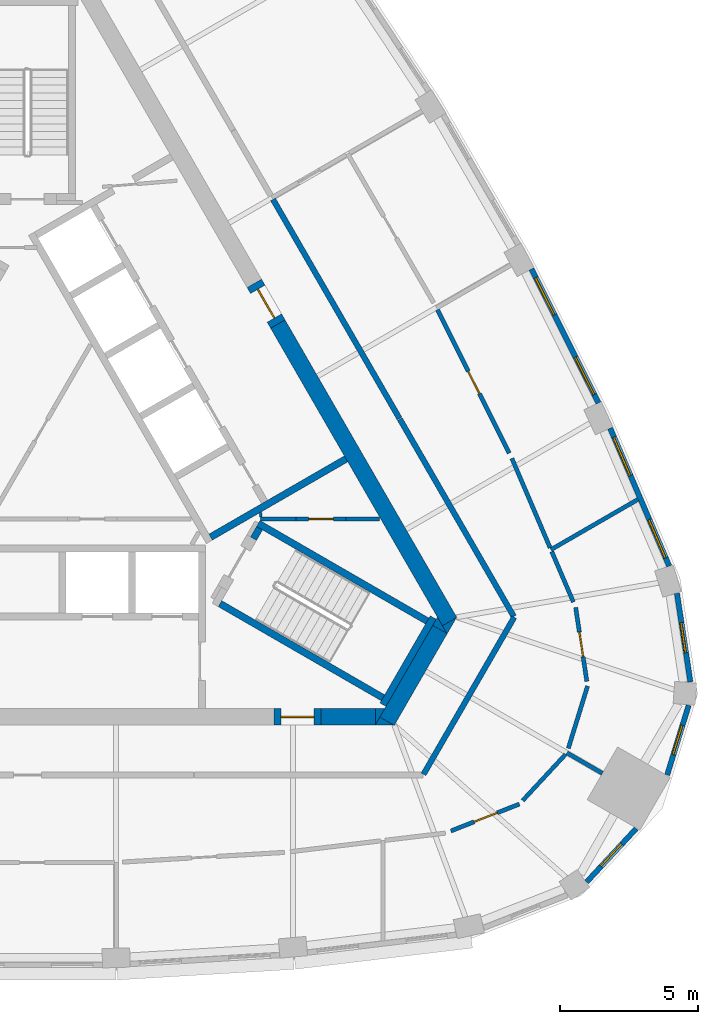
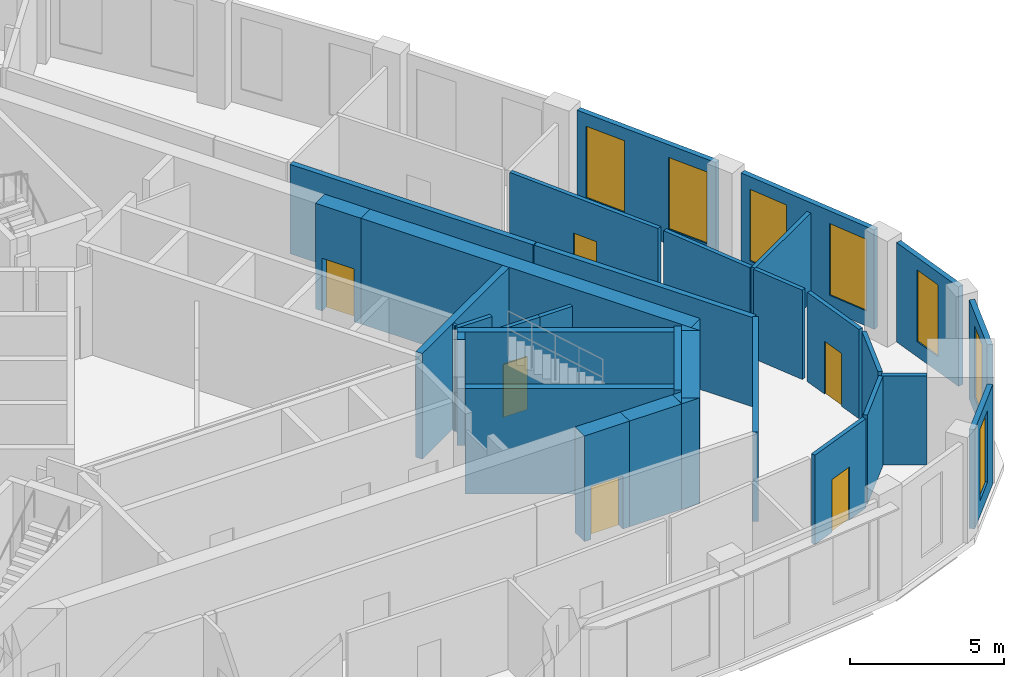
# One storey, part 7 of 10: 35 walls, 7 windows, 6 doors, 13 openings.
"""IFC4 building model written with IfcOpenShell, lengths in metres."""

from ifc_helpers import new_model, si_unit, direction, frame, frame_2d, origin, place, context, subcontext, project, spatial, polyline, rectangle, outline, extrude, material, layer, layer_set, type_object, element, fill, save


model = new_model("IFC4")

# Units and contexts
model_context = context("Model", 3, precision=1e-05, world=origin(), true_north=direction((0.0, 1.0)))
body_context = subcontext(model_context, "Body", "Model", "MODEL_VIEW")
ifc_project = project(units=[si_unit("LENGTHUNIT", "METRE"), si_unit("AREAUNIT", "SQUARE_METRE"), si_unit("VOLUMEUNIT", "CUBIC_METRE"), si_unit("PLANEANGLEUNIT", "RADIAN"), si_unit("MASSUNIT", "GRAM", prefix="KILO")], contexts=[model_context])

# Site, building, storey
site_placement = place(None, origin())
site = spatial("IfcSite", under=ifc_project, at=site_placement, CompositionType="ELEMENT")
building_placement = place(site_placement, origin())
building = spatial("IfcBuilding", under=site, at=building_placement, Name="Mestral Congress Tower", CompositionType="ELEMENT")
storey_placement = place(building_placement, frame((0.0, 0.0, 288.0)))
storey = spatial("IfcBuildingStorey", under=building, at=storey_placement, Name="L67", CompositionType="ELEMENT", Elevation=288.0)

# Wall
ifc_material_1 = material(Name="Fire-rated board partition")
ifc_layer_1 = layer(ifc_material_1, 0.14990234375)
ifc_layer_set_1 = layer_set([ifc_layer_1], Name="Fire-rated board partition")
wall_type_1 = type_object("IfcWallType", Name="Core partition 150", PredefinedType="PARTITIONING", material=ifc_layer_set_1)
wall_1_placement = place(storey_placement, frame((11.50048828125, -2.800537109375, 0.0), z_axis=(0.0, 0.0, 1.0), x_axis=(1.0, 0.0, 0.0)))
element("IfcWall", 1, at=wall_1_placement, inside=storey, type_object=wall_type_1, Name="L67 core wall", PredefinedType="PARTITIONING", context=body_context, shape_type="SweptSolid", body=[
    extrude(rectangle(XDim=1.22216796875, YDim=0.14990234375, at=frame_2d((0.611083984375, 0.0))), origin(), (0.0, 0.0, 1.0), 3.550048828125),
])

# Wall, opening, door
wall_2_placement = place(storey_placement, frame((9.7001953125, -2.800048828125, 0.0), z_axis=(0.0, 0.0, 1.0), x_axis=(1.0, 0.0, 0.0)))
wall_2 = element("IfcWall", 2, at=wall_2_placement, inside=storey, type_object=wall_type_1, Name="L67 door wall", PredefinedType="PARTITIONING", context=body_context, shape_type="SweptSolid", body=[
    extrude(rectangle(XDim=1.800048828125, YDim=0.14990234375, at=frame_2d((0.89990234375, 0.0))), origin(), (0.0, 0.0, 1.0), 3.550048828125),
])
opening_1_placement = place(wall_2_placement, frame((0.449951171875, 0.0, 0.0)))
opening_1 = element("IfcOpeningElement", 3, at=opening_1_placement, cuts=wall_2, Name="Opening SD-PX10", PredefinedType="OPENING", context=body_context, shape_type="SweptSolid", body=[
    extrude(rectangle(XDim=0.89990234375, YDim=2.10009765625, at=frame_2d((0.449951171875, 1.050048828125))), frame((0.0, 0.0849609375, 0.0), z_axis=(0.0, -1.0, 0.0), x_axis=(1.0, 0.0, 0.0)), (0.0, 0.0, 1.0), 0.169921875),
])
ifc_material_2 = material(Name="Fire-rated steel door set", Category="steel")
door_type_1 = type_object("IfcDoorType", Name="Core door SR 900x2100", OperationType="SINGLE_SWING_LEFT", PredefinedType="DOOR", material=ifc_material_2)
door_1_placement = place(opening_1_placement, origin())
door_1 = element("IfcDoor", 4, at=door_1_placement, inside=storey, type_object=door_type_1, Name="Door SD-PX10", OperationType="SINGLE_SWING_LEFT", OverallHeight=2.10009765625, OverallWidth=0.89990234375, PredefinedType="DOOR", context=body_context, shape_type="SweptSolid", body=[
    extrude(rectangle(XDim=0.89990234375, YDim=2.10009765625, at=frame_2d((0.449951171875, 1.050048828125))), frame((0.0, 0.02490234375, 0.0), z_axis=(0.0, -1.0, 0.0), x_axis=(1.0, 0.0, 0.0)), (0.0, 0.0, 1.0), 0.050048828125),
])
fill(opening_1, door_1)

# Walls
ifc_material_3 = material(Name="Concrete C60/75", Category="concrete")
ifc_layer_2 = layer(ifc_material_3, 0.60009765625)
ifc_layer_set_2 = layer_set([ifc_layer_2], Name="Concrete C60/75")
wall_type_2 = type_object("IfcWallType", Name="Core wall RC 600", PredefinedType="SOLIDWALL", material=ifc_layer_set_2)
wall_3_placement = place(storey_placement, frame((9.0419921875, 4.23876953125, 0.0), z_axis=(0.0, 0.0, 1.0), x_axis=(0.500005785455, -0.866022063525, 0.0)))
element("IfcWall", 5, at=wall_3_placement, inside=storey, type_object=wall_type_2, Name="L67 core wall", PredefinedType="SOLIDWALL", context=body_context, shape_type="SweptSolid", body=[
    extrude(rectangle(XDim=12.406494140625, YDim=0.60009765625, at=frame_2d((6.203125, 0.0))), origin(), (0.0, 0.0, 1.0), 4.199951171875),
])
placement = place(storey_placement, origin())
element("IfcWall", 6, at=placement, inside=storey, type_object=wall_type_2, Name="L67 core wall", PredefinedType="SOLIDWALL", context=body_context, shape_type="SweptSolid", body=[
    extrude(outline(polyline([(15.155517578125, -6.949951171875), (14.986572265625, -6.6572265625), (15.493408203125, -6.364501953125), (15.155517578125, -6.949951171875)])), origin(), (0.0, 0.0, 1.0), 4.199951171875),
])
wall_5_placement = place(storey_placement, frame((12.9873046875, -10.105712890625, 0.0), z_axis=(0.0, 0.0, 1.0), x_axis=(0.499950938802, 0.866053727428, 0.0)))
element("IfcWall", 7, at=wall_5_placement, inside=storey, type_object=wall_type_2, Name="L67 core wall", PredefinedType="SOLIDWALL", context=body_context, shape_type="SweptSolid", body=[
    extrude(rectangle(XDim=3.8232421875, YDim=0.60009765625, at=frame_2d((1.91162109375, 0.0))), origin(), (0.0, 0.0, 1.0), 4.199951171875),
])
element("IfcWall", 8, at=placement, inside=storey, type_object=wall_type_2, Name="L67 core wall", PredefinedType="SOLIDWALL", context=body_context, shape_type="SweptSolid", body=[
    extrude(outline(polyline([(12.726318359375, -9.957275390625), (13.2333984375, -10.25), (12.557373046875, -10.25), (12.726318359375, -9.957275390625)])), origin(), (0.0, 0.0, 1.0), 4.199951171875),
])
element("IfcWall", 9, at=placement, inside=storey, type_object=wall_type_2, Name="L67 core wall", PredefinedType="SOLIDWALL", context=body_context, shape_type="SweptSolid", body=[
    extrude(outline(polyline([(14.80908203125, -6.35009765625), (15.147216796875, -6.935791015625), (14.639892578125, -6.642822265625), (14.80908203125, -6.35009765625)])), origin(), (0.0, 0.0, 1.0), 4.199951171875),
])
wall_8_placement = place(storey_placement, frame((10.6044921875, -9.949951171875, 0.0), z_axis=(0.0, 0.0, 1.0), x_axis=(1.0, 0.0, 0.0)))
element("IfcWall", 10, at=wall_8_placement, inside=storey, type_object=wall_type_2, Name="L67 core wall", PredefinedType="SOLIDWALL", context=body_context, shape_type="SweptSolid", body=[
    extrude(rectangle(XDim=1.959228515625, YDim=0.60009765625, at=frame_2d((0.9794921875, 0.0))), origin(), (0.0, 0.0, 1.0), 4.199951171875),
])
element("IfcWall", 11, at=placement, inside=storey, type_object=wall_type_2, Name="L67 core wall", PredefinedType="SOLIDWALL", context=body_context, shape_type="SweptSolid", body=[
    extrude(outline(polyline([(12.90380859375, -9.64990234375), (12.56591796875, -10.235595703125), (12.56591796875, -9.64990234375), (12.90380859375, -9.64990234375)])), origin(), (0.0, 0.0, 1.0), 4.199951171875),
])

# Wall, opening, door
wall_10_placement = place(storey_placement, frame((10.6044921875, -9.949951171875, 0.0), z_axis=(0.0, 0.0, 1.0), x_axis=(-1.0, 0.0, 0.0)))
wall_10 = element("IfcWall", 12, at=wall_10_placement, inside=storey, type_object=wall_type_2, Name="L67 door wall", PredefinedType="SOLIDWALL", context=body_context, shape_type="SweptSolid", body=[
    extrude(rectangle(XDim=1.699951171875, YDim=0.60009765625, at=frame_2d((0.85009765625, 0.0))), origin(), (0.0, 0.0, 1.0), 4.199951171875),
])
opening_2_placement = place(wall_10_placement, frame((0.25, 0.0, 0.0)))
opening_2 = element("IfcOpeningElement", 13, at=opening_2_placement, cuts=wall_10, Name="Opening XD1", PredefinedType="OPENING", context=body_context, shape_type="SweptSolid", body=[
    extrude(rectangle(XDim=1.199951171875, YDim=2.10009765625, at=frame_2d((0.60009765625, 1.050048828125))), frame((0.0, 0.31005859375, 0.0), z_axis=(0.0, -1.0, 0.0), x_axis=(1.0, 0.0, 0.0)), (0.0, 0.0, 1.0), 0.6201171875),
])
door_type_2 = type_object("IfcDoorType", Name="Core door XD 1200x2100", OperationType="SINGLE_SWING_LEFT", PredefinedType="DOOR", material=ifc_material_2)
door_2_placement = place(opening_2_placement, origin())
door_2 = element("IfcDoor", 14, at=door_2_placement, inside=storey, type_object=door_type_2, Name="Door XD1", OperationType="SINGLE_SWING_LEFT", OverallHeight=2.10009765625, OverallWidth=1.199951171875, PredefinedType="DOOR", context=body_context, shape_type="SweptSolid", body=[
    extrude(rectangle(XDim=1.199951171875, YDim=2.10009765625, at=frame_2d((0.60009765625, 1.050048828125))), frame((0.0, 0.02490234375, 0.0), z_axis=(0.0, -1.0, 0.0), x_axis=(1.0, 0.0, 0.0)), (0.0, 0.0, 1.0), 0.050048828125),
])
fill(opening_2, door_2)

wall_11_placement = place(storey_placement, frame((8.19189453125, 5.711181640625, 0.0), z_axis=(0.0, 0.0, 1.0), x_axis=(0.500062241894, -0.865989465428, 0.0)))
wall_11 = element("IfcWall", 15, at=wall_11_placement, inside=storey, type_object=wall_type_2, Name="L67 door wall", PredefinedType="SOLIDWALL", context=body_context, shape_type="SweptSolid", body=[
    extrude(rectangle(XDim=1.699951171875, YDim=0.60009765625, at=frame_2d((0.85009765625, 0.0))), origin(), (0.0, 0.0, 1.0), 4.199951171875),
])
opening_3_placement = place(wall_11_placement, frame((0.25, 0.0, 0.0)))
opening_3 = element("IfcOpeningElement", 16, at=opening_3_placement, cuts=wall_11, Name="Opening XDL", PredefinedType="OPENING", context=body_context, shape_type="SweptSolid", body=[
    extrude(rectangle(XDim=1.199951171875, YDim=2.10009765625, at=frame_2d((0.60009765625, 1.050048828125))), frame((0.0, 0.31005859375, 0.0), z_axis=(0.0, -1.0, 0.0), x_axis=(1.0, 0.0, 0.0)), (0.0, 0.0, 1.0), 0.6201171875),
])
door_3_placement = place(opening_3_placement, origin())
door_3 = element("IfcDoor", 17, at=door_3_placement, inside=storey, type_object=door_type_2, Name="Door XDL", OperationType="SINGLE_SWING_LEFT", OverallHeight=2.10009765625, OverallWidth=1.199951171875, PredefinedType="DOOR", context=body_context, shape_type="SweptSolid", body=[
    extrude(rectangle(XDim=1.199951171875, YDim=2.10009765625, at=frame_2d((0.60009765625, 1.050048828125))), frame((0.0, 0.02490234375, 0.0), z_axis=(0.0, -1.0, 0.0), x_axis=(1.0, 0.0, 0.0)), (0.0, 0.0, 1.0), 0.050048828125),
])
fill(opening_3, door_3)

# Wall, opening, window
ifc_material_4 = material(Name="Precast concrete C40/50 with limestone facing", Category="masonry")
ifc_layer_3 = layer(ifc_material_4, 0.18994140625)
ifc_layer_set_3 = layer_set([ifc_layer_3], Name="Precast concrete C40/50 with limestone facing")
wall_type_3 = type_object("IfcWallType", Name="Facade stone wall 190", PredefinedType="SOLIDWALL", material=ifc_layer_set_3)
wall_12_placement = place(storey_placement, frame((20.197998046875, -15.91357421875, 0.0), z_axis=(0.0, 0.0, 1.0), x_axis=(0.680219354823, 0.733008614768, 0.0)))
wall_12 = element("IfcWall", 18, at=wall_12_placement, inside=storey, type_object=wall_type_3, Name="Facade wall K0-1", PredefinedType="SOLIDWALL", context=body_context, shape_type="SweptSolid", body=[
    extrude(rectangle(XDim=2.626953125, YDim=0.18994140625, at=frame_2d((1.3134765625, 0.0))), origin(), (0.0, 0.0, 1.0), 3.949951171875),
])
opening_4_placement = place(wall_12_placement, frame((0.763427734375, 0.0, 0.60009765625)))
opening_4 = element("IfcOpeningElement", 19, at=opening_4_placement, cuts=wall_12, Name="Opening W7", PredefinedType="OPENING", context=body_context, shape_type="SweptSolid", body=[
    extrude(rectangle(XDim=1.10009765625, YDim=2.85009765625, at=frame_2d((0.550048828125, 1.425048828125))), frame((0.0, 0.10498046875, 0.0), z_axis=(0.0, -1.0, 0.0), x_axis=(1.0, 0.0, 0.0)), (0.0, 0.0, 1.0), 0.2099609375),
])
ifc_material_5 = material(Name="Clear low-emissivity double glazing", Category="glass")
window_type_1 = type_object("IfcWindowType", Name="Facade punched window 1100 x 2850 sill 600", PartitioningType="SINGLE_PANEL", PredefinedType="WINDOW", material=ifc_material_5)
window_1_placement = place(opening_4_placement, origin())
window_1 = element("IfcWindow", 20, at=window_1_placement, inside=storey, type_object=window_type_1, Name="Window K0-1", OverallHeight=2.85009765625, OverallWidth=1.10009765625, PartitioningType="SINGLE_PANEL", PredefinedType="WINDOW", context=body_context, shape_type="SweptSolid", body=[
    extrude(rectangle(XDim=1.10009765625, YDim=2.85009765625, at=frame_2d((0.550048828125, 1.425048828125))), frame((0.0, 0.044921875, 0.0), z_axis=(0.0, -1.0, 0.0), x_axis=(1.0, 0.0, 0.0)), (0.0, 0.0, 1.0), 0.06005859375),
])
fill(opening_4, window_1)

wall_13_placement = place(storey_placement, frame((23.1064453125, -12.04541015625, 0.0), z_axis=(0.0, 0.0, 1.0), x_axis=(0.294706210429, 0.9555879078, 0.0)))
wall_13 = element("IfcWall", 21, at=wall_13_placement, inside=storey, type_object=wall_type_3, Name="Facade wall K0-2", PredefinedType="SOLIDWALL", context=body_context, shape_type="SweptSolid", body=[
    extrude(rectangle(XDim=2.626953125, YDim=0.18994140625, at=frame_2d((1.3134765625, 0.0))), origin(), (0.0, 0.0, 1.0), 3.949951171875),
])
opening_5_placement = place(wall_13_placement, frame((0.763427734375, 0.0, 0.60009765625)))
opening_5 = element("IfcOpeningElement", 22, at=opening_5_placement, cuts=wall_13, Name="Opening W7", PredefinedType="OPENING", context=body_context, shape_type="SweptSolid", body=[
    extrude(rectangle(XDim=1.10009765625, YDim=2.85009765625, at=frame_2d((0.550048828125, 1.425048828125))), frame((0.0, 0.10498046875, 0.0), z_axis=(0.0, -1.0, 0.0), x_axis=(1.0, 0.0, 0.0)), (0.0, 0.0, 1.0), 0.2099609375),
])
window_2_placement = place(opening_5_placement, origin())
window_2 = element("IfcWindow", 23, at=window_2_placement, inside=storey, type_object=window_type_1, Name="Window K0-2", OverallHeight=2.85009765625, OverallWidth=1.10009765625, PartitioningType="SINGLE_PANEL", PredefinedType="WINDOW", context=body_context, shape_type="SweptSolid", body=[
    extrude(rectangle(XDim=1.10009765625, YDim=2.85009765625, at=frame_2d((0.550048828125, 1.425048828125))), frame((0.0, 0.044921875, 0.0), z_axis=(0.0, -1.0, 0.0), x_axis=(1.0, 0.0, 0.0)), (0.0, 0.0, 1.0), 0.06005859375),
])
fill(opening_5, window_2)

wall_14_placement = place(storey_placement, frame((23.94384765625, -8.6884765625, 0.0), z_axis=(0.0, 0.0, 1.0), x_axis=(-0.149421055602, 0.988773658702, 0.0)))
wall_14 = element("IfcWall", 24, at=wall_14_placement, inside=storey, type_object=wall_type_3, Name="Facade wall K0-3", PredefinedType="SOLIDWALL", context=body_context, shape_type="SweptSolid", body=[
    extrude(rectangle(XDim=3.23681640625, YDim=0.18994140625, at=frame_2d((1.618408203125, 0.0))), origin(), (0.0, 0.0, 1.0), 3.949951171875),
])
opening_6_placement = place(wall_14_placement, frame((1.068359375, 0.0, 0.60009765625)))
opening_6 = element("IfcOpeningElement", 25, at=opening_6_placement, cuts=wall_14, Name="Opening W7", PredefinedType="OPENING", context=body_context, shape_type="SweptSolid", body=[
    extrude(rectangle(XDim=1.10009765625, YDim=2.85009765625, at=frame_2d((0.550048828125, 1.425048828125))), frame((0.0, 0.10498046875, 0.0), z_axis=(0.0, -1.0, 0.0), x_axis=(1.0, 0.0, 0.0)), (0.0, 0.0, 1.0), 0.2099609375),
])
window_3_placement = place(opening_6_placement, origin())
window_3 = element("IfcWindow", 26, at=window_3_placement, inside=storey, type_object=window_type_1, Name="Window K0-3", OverallHeight=2.85009765625, OverallWidth=1.10009765625, PartitioningType="SINGLE_PANEL", PredefinedType="WINDOW", context=body_context, shape_type="SweptSolid", body=[
    extrude(rectangle(XDim=1.10009765625, YDim=2.85009765625, at=frame_2d((0.550048828125, 1.425048828125))), frame((0.0, 0.044921875, 0.0), z_axis=(0.0, -1.0, 0.0), x_axis=(1.0, 0.0, 0.0)), (0.0, 0.0, 1.0), 0.06005859375),
])
fill(opening_6, window_3)

# Wall, openings, windows
wall_15_placement = place(storey_placement, frame((23.1787109375, -4.50048828125, 0.0), z_axis=(0.0, 0.0, 1.0), x_axis=(-0.393347848476, 0.919389726992, 0.0)))
wall_15 = element("IfcWall", 27, at=wall_15_placement, inside=storey, type_object=wall_type_3, Name="Facade wall F1-00", PredefinedType="SOLIDWALL", context=body_context, shape_type="SweptSolid", body=[
    extrude(rectangle(XDim=5.414794921875, YDim=0.18994140625, at=frame_2d((2.70751953125, 0.0))), origin(), (0.0, 0.0, 1.0), 3.949951171875),
])
opening_7_placement = place(wall_15_placement, frame((0.322509765625, 0.0, 0.60009765625)))
opening_7 = element("IfcOpeningElement", 28, at=opening_7_placement, cuts=wall_15, Name="Opening W6", PredefinedType="OPENING", context=body_context, shape_type="SweptSolid", body=[
    extrude(rectangle(XDim=1.5, YDim=2.85009765625, at=frame_2d((0.75, 1.425048828125))), frame((0.0, 0.10498046875, 0.0), z_axis=(0.0, -1.0, 0.0), x_axis=(1.0, 0.0, 0.0)), (0.0, 0.0, 1.0), 0.2099609375),
])
opening_8_placement = place(wall_15_placement, frame((3.5576171875, 0.0, 0.60009765625)))
opening_8 = element("IfcOpeningElement", 29, at=opening_8_placement, cuts=wall_15, Name="Opening W6", PredefinedType="OPENING", context=body_context, shape_type="SweptSolid", body=[
    extrude(rectangle(XDim=1.5, YDim=2.85009765625, at=frame_2d((0.75, 1.425048828125))), frame((0.0, 0.10498046875, 0.0), z_axis=(0.0, -1.0, 0.0), x_axis=(1.0, 0.0, 0.0)), (0.0, 0.0, 1.0), 0.2099609375),
])
window_type_2 = type_object("IfcWindowType", Name="Facade punched window 1500 x 2850 sill 600", PartitioningType="SINGLE_PANEL", PredefinedType="WINDOW", material=ifc_material_5)
window_4_placement = place(opening_7_placement, origin())
window_4 = element("IfcWindow", 30, at=window_4_placement, inside=storey, type_object=window_type_2, Name="Window F1-00a", OverallHeight=2.85009765625, OverallWidth=1.5, PartitioningType="SINGLE_PANEL", PredefinedType="WINDOW", context=body_context, shape_type="SweptSolid", body=[
    extrude(rectangle(XDim=1.5, YDim=2.85009765625, at=frame_2d((0.75, 1.425048828125))), frame((0.0, 0.044921875, 0.0), z_axis=(0.0, -1.0, 0.0), x_axis=(1.0, 0.0, 0.0)), (0.0, 0.0, 1.0), 0.06005859375),
])
fill(opening_7, window_4)
window_5_placement = place(opening_8_placement, origin())
window_5 = element("IfcWindow", 31, at=window_5_placement, inside=storey, type_object=window_type_2, Name="Window F1-00b", OverallHeight=2.85009765625, OverallWidth=1.5, PartitioningType="SINGLE_PANEL", PredefinedType="WINDOW", context=body_context, shape_type="SweptSolid", body=[
    extrude(rectangle(XDim=1.5, YDim=2.85009765625, at=frame_2d((0.75, 1.425048828125))), frame((0.0, 0.044921875, 0.0), z_axis=(0.0, -1.0, 0.0), x_axis=(1.0, 0.0, 0.0)), (0.0, 0.0, 1.0), 0.06005859375),
])
fill(opening_8, window_5)

wall_16_placement = place(storey_placement, frame((20.625, 1.39208984375, 0.0), z_axis=(0.0, 0.0, 1.0), x_axis=(-0.447484531401, 0.894291671747, 0.0)))
wall_16 = element("IfcWall", 32, at=wall_16_placement, inside=storey, type_object=wall_type_3, Name="Facade wall F1-01", PredefinedType="SOLIDWALL", context=body_context, shape_type="SweptSolid", body=[
    extrude(rectangle(XDim=5.40625, YDim=0.18994140625, at=frame_2d((2.703125, 0.0))), origin(), (0.0, 0.0, 1.0), 3.949951171875),
])
opening_9_placement = place(wall_16_placement, frame((0.346435546875, 0.0, 0.60009765625)))
opening_9 = element("IfcOpeningElement", 33, at=opening_9_placement, cuts=wall_16, Name="Opening W6", PredefinedType="OPENING", context=body_context, shape_type="SweptSolid", body=[
    extrude(rectangle(XDim=1.5, YDim=2.85009765625, at=frame_2d((0.75, 1.425048828125))), frame((0.0, 0.10498046875, 0.0), z_axis=(0.0, -1.0, 0.0), x_axis=(1.0, 0.0, 0.0)), (0.0, 0.0, 1.0), 0.2099609375),
])
opening_10_placement = place(wall_16_placement, frame((3.559326171875, 0.0, 0.60009765625)))
opening_10 = element("IfcOpeningElement", 34, at=opening_10_placement, cuts=wall_16, Name="Opening W6", PredefinedType="OPENING", context=body_context, shape_type="SweptSolid", body=[
    extrude(rectangle(XDim=1.5, YDim=2.85009765625, at=frame_2d((0.75, 1.425048828125))), frame((0.0, 0.10498046875, 0.0), z_axis=(0.0, -1.0, 0.0), x_axis=(1.0, 0.0, 0.0)), (0.0, 0.0, 1.0), 0.2099609375),
])
window_6_placement = place(opening_9_placement, origin())
window_6 = element("IfcWindow", 35, at=window_6_placement, inside=storey, type_object=window_type_2, Name="Window F1-01a", OverallHeight=2.85009765625, OverallWidth=1.5, PartitioningType="SINGLE_PANEL", PredefinedType="WINDOW", context=body_context, shape_type="SweptSolid", body=[
    extrude(rectangle(XDim=1.5, YDim=2.85009765625, at=frame_2d((0.75, 1.425048828125))), frame((0.0, 0.044921875, 0.0), z_axis=(0.0, -1.0, 0.0), x_axis=(1.0, 0.0, 0.0)), (0.0, 0.0, 1.0), 0.06005859375),
])
fill(opening_9, window_6)
window_7_placement = place(opening_10_placement, origin())
window_7 = element("IfcWindow", 36, at=window_7_placement, inside=storey, type_object=window_type_2, Name="Window F1-01b", OverallHeight=2.85009765625, OverallWidth=1.5, PartitioningType="SINGLE_PANEL", PredefinedType="WINDOW", context=body_context, shape_type="SweptSolid", body=[
    extrude(rectangle(XDim=1.5, YDim=2.85009765625, at=frame_2d((0.75, 1.425048828125))), frame((0.0, 0.044921875, 0.0), z_axis=(0.0, -1.0, 0.0), x_axis=(1.0, 0.0, 0.0)), (0.0, 0.0, 1.0), 0.06005859375),
])
fill(opening_10, window_7)

# Wall
ifc_material_6 = material(Name="Plasterboard partition on steel studs", Category="steel")
ifc_layer_4 = layer(ifc_material_6, 0.14990234375)
ifc_layer_set_4 = layer_set([ifc_layer_4], Name="Plasterboard partition on steel studs")
wall_type_4 = type_object("IfcWallType", Name="Office partition 150", PredefinedType="PARTITIONING", material=ifc_layer_set_4)
wall_17_placement = place(storey_placement, frame((19.485107421875, -11.249755859375, 0.0), z_axis=(0.0, 0.0, 1.0), x_axis=(0.866039857565, -0.499974964482, 0.0)))
element("IfcWall", 37, at=wall_17_placement, inside=storey, type_object=wall_type_4, Name="Partition", PredefinedType="PARTITIONING", context=body_context, shape_type="SweptSolid", body=[
    extrude(rectangle(XDim=1.478515625, YDim=0.14990234375, at=frame_2d((0.7392578125, 0.0))), origin(), (0.0, 0.0, 1.0), 3.550048828125),
])

# Wall, opening, door
wall_18_placement = place(storey_placement, frame((17.767333984375, -13.1005859375, 0.0), z_axis=(0.0, 0.0, 1.0), x_axis=(-0.930971361221, -0.365092213812, 0.0)))
wall_18 = element("IfcWall", 38, at=wall_18_placement, inside=storey, type_object=wall_type_4, Name="Partition", PredefinedType="PARTITIONING", context=body_context, shape_type="SweptSolid", body=[
    extrude(rectangle(XDim=2.65673828125, YDim=0.14990234375, at=frame_2d((1.328369140625, 0.0))), origin(), (0.0, 0.0, 1.0), 3.550048828125),
])
opening_11_placement = place(wall_18_placement, frame((0.856689453125, 0.0, 0.0)))
opening_11 = element("IfcOpeningElement", 39, at=opening_11_placement, cuts=wall_18, Name="Opening O12-004", PredefinedType="OPENING", context=body_context, shape_type="SweptSolid", body=[
    extrude(rectangle(XDim=0.89990234375, YDim=2.10009765625, at=frame_2d((0.449951171875, 1.050048828125))), frame((0.0, 0.0849609375, 0.0), z_axis=(0.0, -1.0, 0.0), x_axis=(1.0, 0.0, 0.0)), (0.0, 0.0, 1.0), 0.169921875),
])
ifc_material_7 = material(Name="Timber door set", Category="wood")
door_type_3 = type_object("IfcDoorType", Name="Office door 900x2100", OperationType="SINGLE_SWING_LEFT", PredefinedType="DOOR", material=ifc_material_7)
door_4_placement = place(opening_11_placement, origin())
door_4 = element("IfcDoor", 40, at=door_4_placement, inside=storey, type_object=door_type_3, Name="Door O12-004", OperationType="SINGLE_SWING_LEFT", OverallHeight=2.10009765625, OverallWidth=0.89990234375, PredefinedType="DOOR", context=body_context, shape_type="SweptSolid", body=[
    extrude(rectangle(XDim=0.89990234375, YDim=2.10009765625, at=frame_2d((0.449951171875, 1.050048828125))), frame((0.0, 0.02490234375, 0.0), z_axis=(0.0, -1.0, 0.0), x_axis=(1.0, 0.0, 0.0)), (0.0, 0.0, 1.0), 0.050048828125),
])
fill(opening_11, door_4)

# Walls
wall_19_placement = place(storey_placement, frame((17.885009765625, -12.97412109375, 0.0), z_axis=(0.0, 0.0, 1.0), x_axis=(0.680220611996, 0.733007448132, 0.0)))
element("IfcWall", 41, at=wall_19_placement, inside=storey, type_object=wall_type_4, Name="Partition", PredefinedType="PARTITIONING", context=body_context, shape_type="SweptSolid", body=[
    extrude(rectangle(XDim=2.275634765625, YDim=0.14990234375, at=frame_2d((1.1376953125, 0.0))), origin(), (0.0, 0.0, 1.0), 3.550048828125),
])
wall_20_placement = place(storey_placement, frame((18.906982421875, -3.90966796875, 0.0), z_axis=(0.0, 0.0, 1.0), x_axis=(0.866051035956, 0.499955601149, 0.0)))
element("IfcWall", 42, at=wall_20_placement, inside=storey, type_object=wall_type_4, Name="Partition", PredefinedType="PARTITIONING", context=body_context, shape_type="SweptSolid", body=[
    extrude(rectangle(XDim=3.625732421875, YDim=0.14990234375, at=frame_2d((1.81298828125, 0.0))), origin(), (0.0, 0.0, 1.0), 3.550048828125),
])
wall_21_placement = place(storey_placement, frame((19.5361328125, -11.084716796875, 0.0), z_axis=(0.0, 0.0, 1.0), x_axis=(0.294632751805, 0.955610559571, 0.0)))
element("IfcWall", 43, at=wall_21_placement, inside=storey, type_object=wall_type_4, Name="Partition", PredefinedType="PARTITIONING", context=body_context, shape_type="SweptSolid", body=[
    extrude(rectangle(XDim=2.3525390625, YDim=0.14990234375, at=frame_2d((1.17626953125, 0.0))), origin(), (0.0, 0.0, 1.0), 3.550048828125),
])

# Wall, opening, door
wall_22_placement = place(storey_placement, frame((19.80029296875, -5.997802734375, 0.0), z_axis=(0.0, 0.0, 1.0), x_axis=(0.149384554916, -0.988779173907, 0.0)))
wall_22 = element("IfcWall", 44, at=wall_22_placement, inside=storey, type_object=wall_type_4, Name="Partition", PredefinedType="PARTITIONING", context=body_context, shape_type="SweptSolid", body=[
    extrude(rectangle(XDim=2.6982421875, YDim=0.14990234375, at=frame_2d((1.34912109375, 0.0))), origin(), (0.0, 0.0, 1.0), 3.550048828125),
])
opening_12_placement = place(wall_22_placement, frame((0.898193359375, 0.0, 0.0)))
opening_12 = element("IfcOpeningElement", 45, at=opening_12_placement, cuts=wall_22, Name="Opening O12-005", PredefinedType="OPENING", context=body_context, shape_type="SweptSolid", body=[
    extrude(rectangle(XDim=0.89990234375, YDim=2.10009765625, at=frame_2d((0.449951171875, 1.050048828125))), frame((0.0, 0.0849609375, 0.0), z_axis=(0.0, -1.0, 0.0), x_axis=(1.0, 0.0, 0.0)), (0.0, 0.0, 1.0), 0.169921875),
])
door_5_placement = place(opening_12_placement, origin())
door_5 = element("IfcDoor", 46, at=door_5_placement, inside=storey, type_object=door_type_3, Name="Door O12-005", OperationType="SINGLE_SWING_LEFT", OverallHeight=2.10009765625, OverallWidth=0.89990234375, PredefinedType="DOOR", context=body_context, shape_type="SweptSolid", body=[
    extrude(rectangle(XDim=0.89990234375, YDim=2.10009765625, at=frame_2d((0.449951171875, 1.050048828125))), frame((0.0, 0.02490234375, 0.0), z_axis=(0.0, -1.0, 0.0), x_axis=(1.0, 0.0, 0.0)), (0.0, 0.0, 1.0), 0.050048828125),
])
fill(opening_12, door_5)

# Walls
wall_23_placement = place(storey_placement, frame((19.716064453125, -5.80078125, 0.0), z_axis=(0.0, 0.0, 1.0), x_axis=(-0.39333920544, 0.919393424745, 0.0)))
element("IfcWall", 47, at=wall_23_placement, inside=storey, type_object=wall_type_4, Name="Partition", PredefinedType="PARTITIONING", context=body_context, shape_type="SweptSolid", body=[
    extrude(rectangle(XDim=1.981201171875, YDim=0.14990234375, at=frame_2d((0.99072265625, 0.0))), origin(), (0.0, 0.0, 1.0), 3.550048828125),
])
wall_24_placement = place(storey_placement, frame((18.877197265625, -3.84033203125, 0.0), z_axis=(0.0, 0.0, 1.0), x_axis=(-0.393339985587, 0.919393090978, 0.0)))
element("IfcWall", 48, at=wall_24_placement, inside=storey, type_object=wall_type_4, Name="Partition", PredefinedType="PARTITIONING", context=body_context, shape_type="SweptSolid", body=[
    extrude(rectangle(XDim=3.510009765625, YDim=0.14990234375, at=frame_2d((1.7548828125, 0.0))), origin(), (0.0, 0.0, 1.0), 3.550048828125),
])

# Wall, opening, door
wall_25_placement = place(storey_placement, frame((14.810791015625, 4.75439453125, 0.0), z_axis=(0.0, 0.0, 1.0), x_axis=(0.447483524661, -0.894292175498, 0.0)))
wall_25 = element("IfcWall", 49, at=wall_25_placement, inside=storey, type_object=wall_type_4, Name="Partition", PredefinedType="PARTITIONING", context=body_context, shape_type="SweptSolid", body=[
    extrude(rectangle(XDim=5.7880859375, YDim=0.14990234375, at=frame_2d((2.89404296875, 0.0))), origin(), (0.0, 0.0, 1.0), 3.550048828125),
])
opening_13_placement = place(wall_25_placement, frame((2.488037109375, 0.0, 0.0)))
opening_13 = element("IfcOpeningElement", 50, at=opening_13_placement, cuts=wall_25, Name="Opening O12-006", PredefinedType="OPENING", context=body_context, shape_type="SweptSolid", body=[
    extrude(rectangle(XDim=0.89990234375, YDim=2.10009765625, at=frame_2d((0.449951171875, 1.050048828125))), frame((0.0, 0.0849609375, 0.0), z_axis=(0.0, -1.0, 0.0), x_axis=(1.0, 0.0, 0.0)), (0.0, 0.0, 1.0), 0.169921875),
])
door_6_placement = place(opening_13_placement, origin())
door_6 = element("IfcDoor", 51, at=door_6_placement, inside=storey, type_object=door_type_3, Name="Door O12-006", OperationType="SINGLE_SWING_RIGHT", OverallHeight=2.10009765625, OverallWidth=0.89990234375, PredefinedType="DOOR", context=body_context, shape_type="SweptSolid", body=[
    extrude(rectangle(XDim=0.89990234375, YDim=2.10009765625, at=frame_2d((0.449951171875, 1.050048828125))), frame((0.0, 0.02490234375, 0.0), z_axis=(0.0, -1.0, 0.0), x_axis=(1.0, 0.0, 0.0)), (0.0, 0.0, 1.0), 0.050048828125),
])
fill(opening_13, door_6)

# Walls
ifc_material_8 = material(Name="Dense masonry wall, plastered", Category="masonry")
ifc_layer_5 = layer(ifc_material_8, 0.199951171875)
ifc_layer_set_5 = layer_set([ifc_layer_5], Name="Dense masonry wall, plastered")
wall_type_5 = type_object("IfcWallType", Name="Office tenancy wall 200", PredefinedType="PARTITIONING", material=ifc_layer_set_5)
wall_26_placement = place(storey_placement, frame((13.435546875, 0.828857421875, 0.0), z_axis=(0.0, 0.0, 1.0), x_axis=(-0.499983789798, 0.866034762547, 0.0)))
element("IfcWall", 52, at=wall_26_placement, inside=storey, type_object=wall_type_5, Name="Tenancy wall", PredefinedType="PARTITIONING", context=body_context, shape_type="SweptSolid", body=[
    extrude(rectangle(XDim=9.137939453125, YDim=0.199951171875, at=frame_2d((4.56884765625, 0.0))), origin(), (0.0, 0.0, 1.0), 3.550048828125),
])
wall_27_placement = place(storey_placement, frame((14.304443359375, -12.02392578125, 0.0), z_axis=(0.0, 0.0, 1.0), x_axis=(0.500010613097, 0.866019276224, 0.0)))
element("IfcWall", 53, at=wall_27_placement, inside=storey, type_object=wall_type_5, Name="Tenancy wall", PredefinedType="PARTITIONING", context=body_context, shape_type="SweptSolid", body=[
    extrude(rectangle(XDim=6.551513671875, YDim=0.199951171875, at=frame_2d((3.27587890625, 0.0))), origin(), (0.0, 0.0, 1.0), 3.550048828125),
])
wall_28_placement = place(storey_placement, frame((17.565185546875, -6.323974609375, 0.0), z_axis=(0.0, 0.0, 1.0), x_axis=(-0.499977548053, 0.866038366034, 0.0)))
element("IfcWall", 54, at=wall_28_placement, inside=storey, type_object=wall_type_5, Name="Tenancy wall", PredefinedType="PARTITIONING", context=body_context, shape_type="SweptSolid", body=[
    extrude(rectangle(XDim=8.2294921875, YDim=0.199951171875, at=frame_2d((4.11474609375, 0.0))), origin(), (0.0, 0.0, 1.0), 3.550048828125),
])
ifc_layer_6 = layer(ifc_material_3, 0.25)
ifc_layer_set_6 = layer_set([ifc_layer_6], Name="Concrete C60/75")
wall_type_6 = type_object("IfcWallType", Name="Shaft wall RC 250", PredefinedType="SOLIDWALL", material=ifc_layer_set_6)
wall_29_placement = place(storey_placement, frame((11.507080078125, -0.630859375, 0.0), z_axis=(0.0, 0.0, 1.0), x_axis=(-0.866011447264, -0.500024172624, 0.0)))
element("IfcWall", 55, at=wall_29_placement, inside=storey, type_object=wall_type_6, Name="L67 core wall", PredefinedType="SOLIDWALL", context=body_context, shape_type="SweptSolid", body=[
    extrude(rectangle(XDim=5.650146484375, YDim=0.25, at=frame_2d((2.8251953125, 0.0))), origin(), (0.0, 0.0, 1.0), 4.199951171875),
])
ifc_layer_7 = layer(ifc_material_3, 0.14990234375)
ifc_layer_set_7 = layer_set([ifc_layer_7], Name="Concrete C60/75")
wall_type_7 = type_object("IfcWallType", Name="Shaft wall RC 250 door-wall 150", PredefinedType="SOLIDWALL", material=ifc_layer_set_7)
wall_30_placement = place(storey_placement, frame((8.412109375, -2.800048828125, 0.0), z_axis=(0.0, 0.0, 1.0), x_axis=(1.0, 0.0, 0.0)))
element("IfcWall", 56, at=wall_30_placement, inside=storey, type_object=wall_type_7, Name="L67 core wall", PredefinedType="PARTITIONING", context=body_context, shape_type="SweptSolid", body=[
    extrude(rectangle(XDim=1.2880859375, YDim=0.14990234375, at=frame_2d((0.64404296875, 0.0))), origin(), (0.0, 0.0, 1.0), 4.199951171875),
])
wall_31_placement = place(storey_placement, frame((8.3701171875, -2.64990234375, 0.0), z_axis=(0.0, 0.0, 1.0), x_axis=(1.0, 0.0, 0.0)))
element("IfcWall", 57, at=wall_31_placement, inside=storey, type_object=wall_type_7, Name="L67 core wall", PredefinedType="PARTITIONING", context=body_context, shape_type="SweptSolid", body=[
    extrude(rectangle(XDim=0.10791015625, YDim=0.14990234375, at=frame_2d((0.053955078125, 0.0))), origin(), (0.0, 0.0, 1.0), 4.199951171875),
])
ifc_layer_8 = layer(ifc_material_3, 0.25)
ifc_layer_set_8 = layer_set([ifc_layer_8], Name="Concrete C60/75")
wall_type_8 = type_object("IfcWallType", Name="Stair wall RC 250", PredefinedType="SOLIDWALL", material=ifc_layer_set_8)
wall_32_placement = place(storey_placement, frame((12.839599609375, -9.510986328125, 0.0), z_axis=(0.0, 0.0, 1.0), x_axis=(0.500048121057, 0.865997619297, 0.0)))
element("IfcWall", 58, at=wall_32_placement, inside=storey, type_object=wall_type_8, Name="L67 core wall", PredefinedType="SOLIDWALL", context=body_context, shape_type="SweptSolid", body=[
    extrude(rectangle(XDim=3.634033203125, YDim=0.25, at=frame_2d((1.81689453125, 0.0))), origin(), (0.0, 0.0, 1.0), 4.199951171875),
])
wall_33_placement = place(storey_placement, frame((12.83984375, -9.2607421875, 0.0), z_axis=(0.0, 0.0, 1.0), x_axis=(-0.866013990052, 0.500019768644, 0.0)))
element("IfcWall", 59, at=wall_33_placement, inside=storey, type_object=wall_type_8, Name="L67 core wall", PredefinedType="SOLIDWALL", context=body_context, shape_type="SweptSolid", body=[
    extrude(rectangle(XDim=6.800048828125, YDim=0.25, at=frame_2d((3.39990234375, 0.0))), origin(), (0.0, 0.0, 1.0), 4.199951171875),
])
wall_34_placement = place(storey_placement, frame((8.33447265625, -2.96435546875, 0.0), z_axis=(0.0, 0.0, 1.0), x_axis=(0.866016039709, -0.500016218704, 0.0)))
element("IfcWall", 60, at=wall_34_placement, inside=storey, type_object=wall_type_8, Name="L67 core wall", PredefinedType="SOLIDWALL", context=body_context, shape_type="SweptSolid", body=[
    extrude(rectangle(XDim=7.050048828125, YDim=0.25, at=frame_2d((3.52490234375, 0.0))), origin(), (0.0, 0.0, 1.0), 4.199951171875),
])
wall_35_placement = place(storey_placement, frame((8.162841796875, -3.51123046875, 0.0), z_axis=(0.0, 0.0, 1.0), x_axis=(0.500127794843, 0.865951608824, 0.0)))
element("IfcWall", 61, at=wall_35_placement, inside=storey, type_object=wall_type_8, Name="L67 core wall", PredefinedType="SOLIDWALL", context=body_context, shape_type="SweptSolid", body=[
    extrude(rectangle(XDim=0.4345703125, YDim=0.25, at=frame_2d((0.21728515625, 0.0))), origin(), (0.0, 0.0, 1.0), 4.199951171875),
])

save(model, "model.ifc")
